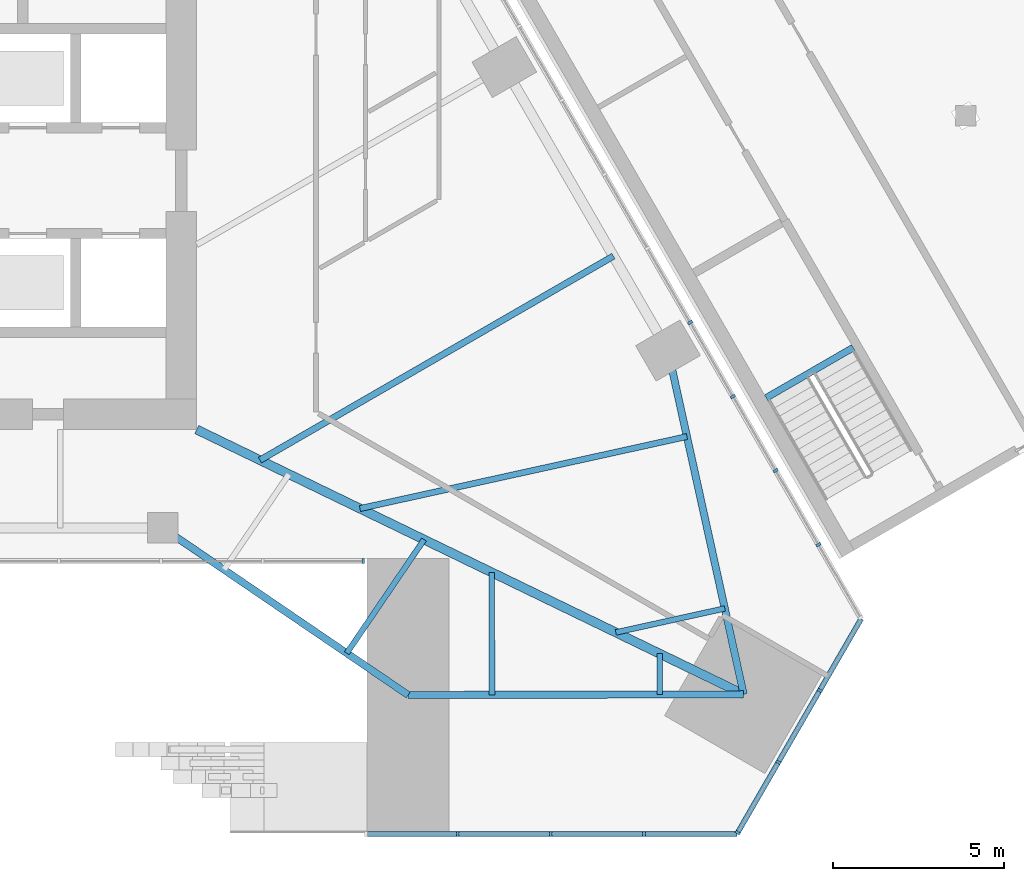
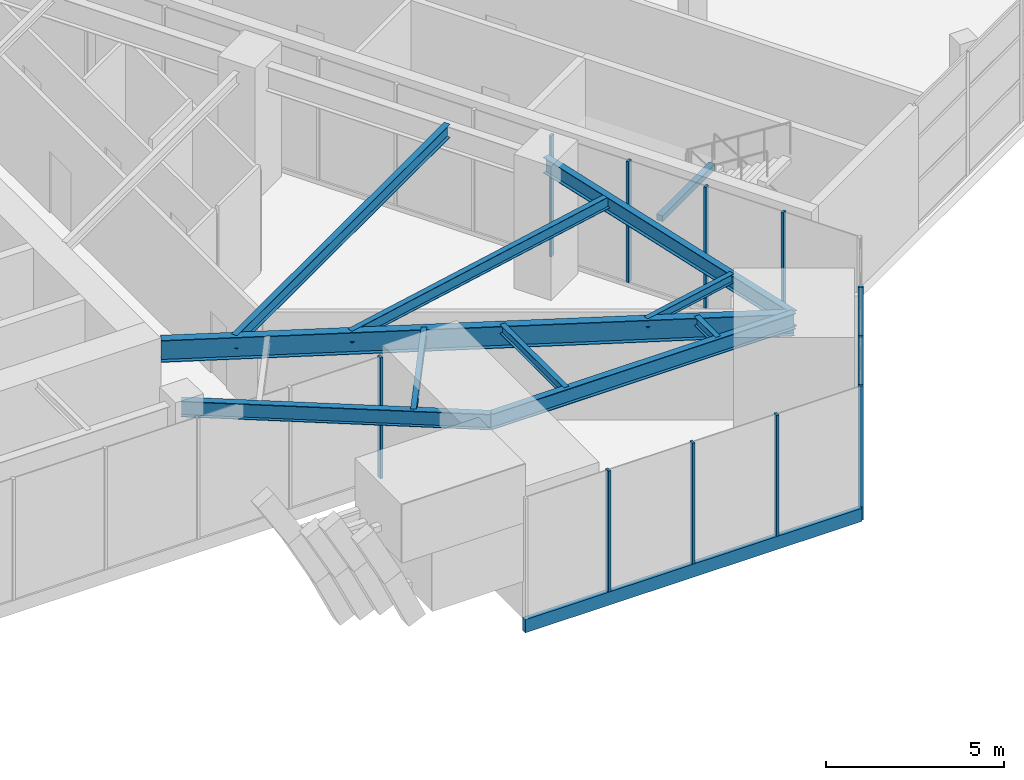
# One storey, part 7 of 30: 13 members, 11 beams, 4 elements without a shape of their own.
"""IFC4 building model written with IfcOpenShell, lengths in metres."""

from ifc_helpers import new_model, si_unit, direction, frame, origin, origin_2d, place, context, subcontext, project, spatial, rectangle, i_section, extrude, material, layer, layer_set, material_profile, profile_set, type_object, element, aggregate, save


model = new_model("IFC4")

# Units and contexts
model_context = context("Model", 3, precision=1e-05, world=origin(), true_north=direction((0.0, 1.0)))
body_context = subcontext(model_context, "Body", "Model", "MODEL_VIEW")
ifc_project = project(units=[si_unit("LENGTHUNIT", "METRE"), si_unit("AREAUNIT", "SQUARE_METRE"), si_unit("VOLUMEUNIT", "CUBIC_METRE"), si_unit("PLANEANGLEUNIT", "RADIAN"), si_unit("MASSUNIT", "GRAM", prefix="KILO")], contexts=[model_context])

# Site, building, storey
site_placement = place(None, origin())
site = spatial("IfcSite", under=ifc_project, at=site_placement, CompositionType="ELEMENT")
building_placement = place(site_placement, origin())
building = spatial("IfcBuilding", under=site, at=building_placement, Name="Firuza Gate Tower and Library", CompositionType="ELEMENT")
storey_placement = place(building_placement, frame((0.0, 0.0, 12.60009765625)))
storey = spatial("IfcBuildingStorey", under=building, at=storey_placement, Name="L02", CompositionType="ELEMENT", Elevation=12.60009765625)

# Curtain wall, member
ifc_material_1 = material(Name="Aluminium 6063-T6", Category="aluminium")
ifc_layer_1 = layer(ifc_material_1, 0.14990234375)
ifc_layer_set_1 = layer_set([ifc_layer_1], Name="Stick curtain wall, gate lobby")
curtain_wall_type_1 = type_object("IfcCurtainWallType", Name="Stick curtain wall, gate lobby", PredefinedType="NOTDEFINED", material=ifc_layer_set_1)
placement = place(storey_placement, origin())
curtain_wall_1 = element("IfcCurtainWall", 1, at=placement, inside=storey, type_object=curtain_wall_type_1, Name="CW7 L02 gate lobby", PredefinedType="NOTDEFINED")
ifc_material_2 = material(Name="Aluminium 6063-T6", Category="aluminium")
ifc_material_profile_1 = material_profile(ifc_material_2, rectangle(XDim=0.14990234375, YDim=0.080078125, at=origin_2d()))
ifc_profile_set_1 = profile_set([ifc_material_profile_1], Name="Aluminium 6063-T6")
member_type_1 = type_object("IfcMemberType", Name="Curtain wall mullion 80x150", PredefinedType="MULLION", material=ifc_profile_set_1)
member_1_placement = place(storey_placement, frame((92.885009765625, 62.140380859375, 0.14990234375), z_axis=(0.0, 0.0, 1.0), x_axis=(0.0, 1.0, 0.0)))
member_1 = element("IfcMember", 2, at=member_1_placement, type_object=member_type_1, Name="Mullion", PredefinedType="MULLION", context=body_context, shape_type="SweptSolid", body=[
    extrude(rectangle(XDim=0.14990234375, YDim=0.080078125, at=origin_2d()), origin(), (0.0, 0.0, 1.0), 4.14990234375),
])
aggregate(curtain_wall_1, [member_1])

# Curtain wall, members
ifc_material_3 = material(Name="Aluminium 6063-T6", Category="aluminium")
ifc_layer_2 = layer(ifc_material_3, 0.14990234375)
ifc_layer_set_2 = layer_set([ifc_layer_2], Name="Stick curtain wall, podium")
curtain_wall_type_2 = type_object("IfcCurtainWallType", Name="Stick curtain wall, podium", PredefinedType="NOTDEFINED", material=ifc_layer_set_2)
curtain_wall_2 = element("IfcCurtainWall", 3, at=placement, inside=storey, type_object=curtain_wall_type_2, Name="CW5 L02 S", PredefinedType="NOTDEFINED")
member_2_placement = place(storey_placement, frame((95.654541015625, 54.140380859375, 0.14990234375), z_axis=(0.0, 0.0, 1.0), x_axis=(0.0, 1.0, 0.0)))
member_2 = element("IfcMember", 4, at=member_2_placement, type_object=member_type_1, Name="Mullion", PredefinedType="MULLION", context=body_context, shape_type="SweptSolid", body=[
    extrude(rectangle(XDim=0.14990234375, YDim=0.080078125, at=origin_2d()), origin(), (0.0, 0.0, 1.0), 4.14990234375),
])
member_3_placement = place(storey_placement, frame((98.384033203125, 54.140380859375, 0.14990234375), z_axis=(0.0, 0.0, 1.0), x_axis=(0.0, 1.0, 0.0)))
member_3 = element("IfcMember", 5, at=member_3_placement, type_object=member_type_1, Name="Mullion", PredefinedType="MULLION", context=body_context, shape_type="SweptSolid", body=[
    extrude(rectangle(XDim=0.14990234375, YDim=0.080078125, at=origin_2d()), origin(), (0.0, 0.0, 1.0), 4.14990234375),
])
member_4_placement = place(storey_placement, frame((101.11376953125, 54.140380859375, 0.14990234375), z_axis=(0.0, 0.0, 1.0), x_axis=(0.0, 1.0, 0.0)))
member_4 = element("IfcMember", 6, at=member_4_placement, type_object=member_type_1, Name="Mullion", PredefinedType="MULLION", context=body_context, shape_type="SweptSolid", body=[
    extrude(rectangle(XDim=0.14990234375, YDim=0.080078125, at=origin_2d()), origin(), (0.0, 0.0, 1.0), 4.14990234375),
])

curtain_wall_3 = element("IfcCurtainWall", 7, at=placement, inside=storey, type_object=curtain_wall_type_2, Name="CW5 L02 SE", PredefinedType="NOTDEFINED")
member_5_placement = place(storey_placement, frame((103.86328125, 54.175048828125, 0.14990234375), z_axis=(0.0, 0.0, 1.0), x_axis=(-0.866025403784, 0.5, 0.0)))
member_5 = element("IfcMember", 8, at=member_5_placement, type_object=member_type_1, Name="Mullion", PredefinedType="MULLION", context=body_context, shape_type="SweptSolid", body=[
    extrude(rectangle(XDim=0.14990234375, YDim=0.080078125, at=origin_2d()), origin(), (0.0, 0.0, 1.0), 4.14990234375),
])
member_6_placement = place(storey_placement, frame((105.0576171875, 56.243896484375, 0.14990234375), z_axis=(0.0, 0.0, 1.0), x_axis=(-0.866025403784, 0.5, 0.0)))
member_6 = element("IfcMember", 9, at=member_6_placement, type_object=member_type_1, Name="Mullion", PredefinedType="MULLION", context=body_context, shape_type="SweptSolid", body=[
    extrude(rectangle(XDim=0.14990234375, YDim=0.080078125, at=origin_2d()), origin(), (0.0, 0.0, 1.0), 4.14990234375),
])
member_7_placement = place(storey_placement, frame((106.272216796875, 58.347412109375, 0.14990234375), z_axis=(0.0, 0.0, 1.0), x_axis=(-0.866025403784, 0.5, 0.0)))
member_7 = element("IfcMember", 10, at=member_7_placement, type_object=member_type_1, Name="Mullion", PredefinedType="MULLION", context=body_context, shape_type="SweptSolid", body=[
    extrude(rectangle(XDim=0.14990234375, YDim=0.080078125, at=origin_2d()), origin(), (0.0, 0.0, 1.0), 4.14990234375),
])

curtain_wall_4 = element("IfcCurtainWall", 11, at=placement, inside=storey, type_object=curtain_wall_type_2, Name="CW5 L02 E", PredefinedType="NOTDEFINED")
member_8_placement = place(storey_placement, frame((106.232666015625, 62.622802734375, 0.14990234375), z_axis=(0.0, 0.0, 1.0), x_axis=(-0.866025403784, -0.5, 0.0)))
member_8 = element("IfcMember", 12, at=member_8_placement, type_object=member_type_1, Name="Mullion", PredefinedType="MULLION", context=body_context, shape_type="SweptSolid", body=[
    extrude(rectangle(XDim=0.14990234375, YDim=0.080078125, at=origin_2d()), origin(), (0.0, 0.0, 1.0), 4.14990234375),
])
member_9_placement = place(storey_placement, frame((104.978515625, 64.794921875, 0.14990234375), z_axis=(0.0, 0.0, 1.0), x_axis=(-0.866025403784, -0.5, 0.0)))
member_9 = element("IfcMember", 13, at=member_9_placement, type_object=member_type_1, Name="Mullion", PredefinedType="MULLION", context=body_context, shape_type="SweptSolid", body=[
    extrude(rectangle(XDim=0.14990234375, YDim=0.080078125, at=origin_2d()), origin(), (0.0, 0.0, 1.0), 4.14990234375),
])
member_10_placement = place(storey_placement, frame((103.724365234375, 66.967041015625, 0.14990234375), z_axis=(0.0, 0.0, 1.0), x_axis=(-0.866025403784, -0.5, 0.0)))
member_10 = element("IfcMember", 14, at=member_10_placement, type_object=member_type_1, Name="Mullion", PredefinedType="MULLION", context=body_context, shape_type="SweptSolid", body=[
    extrude(rectangle(XDim=0.14990234375, YDim=0.080078125, at=origin_2d()), origin(), (0.0, 0.0, 1.0), 4.14990234375),
])
member_11_placement = place(storey_placement, frame((102.470458984375, 69.13916015625, 0.14990234375), z_axis=(0.0, 0.0, 1.0), x_axis=(-0.866025403784, -0.5, 0.0)))
member_11 = element("IfcMember", 15, at=member_11_placement, type_object=member_type_1, Name="Mullion", PredefinedType="MULLION", context=body_context, shape_type="SweptSolid", body=[
    extrude(rectangle(XDim=0.14990234375, YDim=0.080078125, at=origin_2d()), origin(), (0.0, 0.0, 1.0), 4.14990234375),
])
aggregate(curtain_wall_4, [member_8, member_9, member_10, member_11])

# Member
ifc_material_4 = material(Name="Aluminium 6063-T6", Category="aluminium")
ifc_material_profile_2 = material_profile(ifc_material_4, rectangle(XDim=0.14990234375, YDim=0.449951171875, at=origin_2d()))
ifc_profile_set_2 = profile_set([ifc_material_profile_2], Name="Aluminium 6063-T6")
member_type_2 = type_object("IfcMemberType", Name="Curtain wall transom 450x150", PredefinedType="USERDEFINED", material=ifc_profile_set_2)
member_12_placement = place(storey_placement, frame((92.925048828125, 54.140380859375, -0.0751953125), z_axis=(1.0, 0.0, 0.0), x_axis=(0.0, 1.0, 0.0)))
member_12 = element("IfcMember", 16, at=member_12_placement, type_object=member_type_2, Name="Transom", ObjectType="TRANSOM", PredefinedType="USERDEFINED", context=body_context, shape_type="SweptSolid", body=[
    extrude(rectangle(XDim=0.14990234375, YDim=0.449951171875, at=origin_2d()), origin(), (0.0, 0.0, 1.0), 10.918212890625),
])

aggregate(curtain_wall_2, [member_2, member_3, member_4, member_12])

member_13_placement = place(storey_placement, frame((103.84326171875, 54.140380859375, -0.0751953125), z_axis=(0.500005719219, 0.866022101766, 0.0), x_axis=(-0.866022101766, 0.500005719219, 0.0)))
member_13 = element("IfcMember", 17, at=member_13_placement, type_object=member_type_2, Name="Transom", ObjectType="TRANSOM", PredefinedType="USERDEFINED", context=body_context, shape_type="SweptSolid", body=[
    extrude(rectangle(XDim=0.14990234375, YDim=0.449951171875, at=origin_2d()), origin(), (0.0, 0.0, 1.0), 7.28662109375),
])

aggregate(curtain_wall_3, [member_5, member_6, member_7, member_13])

# Beams
ifc_material_5 = material(Name="Concrete C40/50", Category="concrete")
ifc_material_profile_3 = material_profile(ifc_material_5, rectangle(XDim=0.199951171875, YDim=0.199951171875, at=origin_2d()))
ifc_profile_set_3 = profile_set([ifc_material_profile_3], Name="Concrete C40/50")
beam_type_1 = type_object("IfcBeamType", Name="LIB LANDING BEARER 200X200", PredefinedType="BEAM", material=ifc_profile_set_3)
beam_1_placement = place(storey_placement, frame((107.254150390625, 68.4033203125, 2.0), z_axis=(-0.866003658127, -0.500037662692, 0.0), x_axis=(0.500037662692, -0.866003658127, 0.0)))
element("IfcBeam", 18, at=beam_1_placement, inside=storey, type_object=beam_type_1, Name="LIB-ST-B landing bearer L02", PredefinedType="BEAM", context=body_context, shape_type="SweptSolid", body=[
    extrude(rectangle(XDim=0.199951171875, YDim=0.199951171875, at=origin_2d()), origin(), (0.0, 0.0, 1.0), 2.949951171875),
])
ifc_material_6 = material(Name="Steel S355", Category="steel")
ifc_material_profile_4 = material_profile(ifc_material_6, i_section(OverallWidth=0.1650390625, OverallDepth=0.31005859375, WebThickness=0.005859375, FlangeThickness=0.009765625, at=origin_2d()))
ifc_profile_set_4 = profile_set([ifc_material_profile_4], Name="Steel S355")
beam_type_2 = type_object("IfcBeamType", Name="W310x39 Floor beam", PredefinedType="JOIST", material=ifc_profile_set_4)
beam_2_placement = place(storey_placement, frame((92.39990234375, 59.4404296875, 4.14501953125), z_axis=(0.562657973934, 0.826689787265, 0.0), x_axis=(-0.826689787265, 0.562657973934, 0.0)))
element("IfcBeam", 19, at=beam_2_placement, inside=storey, type_object=beam_type_2, Name="Floor beam L02 s41", PredefinedType="JOIST", context=body_context, shape_type="SweptSolid", body=[
    extrude(i_section(OverallWidth=0.1650390625, OverallDepth=0.31005859375, WebThickness=0.005859375, FlangeThickness=0.009765625, at=origin_2d()), origin(), (0.0, 0.0, 1.0), 4.02978515625),
])
beam_3_placement = place(storey_placement, frame((96.660400390625, 58.2197265625, 4.14501953125), z_axis=(-0.001836107072, 0.999998314354, 0.0), x_axis=(-0.999998314354, -0.001836107072, 0.0)))
element("IfcBeam", 20, at=beam_3_placement, inside=storey, type_object=beam_type_2, Name="Floor beam L02 s50", PredefinedType="JOIST", context=body_context, shape_type="SweptSolid", body=[
    extrude(i_section(OverallWidth=0.1650390625, OverallDepth=0.31005859375, WebThickness=0.005859375, FlangeThickness=0.009765625, at=origin_2d()), origin(), (0.0, 0.0, 1.0), 3.590087890625),
])
beam_4_placement = place(storey_placement, frame((101.580810546875, 58.228759765625, 4.14501953125), z_axis=(-0.00183635683, 0.999998313895, 0.0), x_axis=(-0.999998313895, -0.00183635683, 0.0)))
element("IfcBeam", 21, at=beam_4_placement, inside=storey, type_object=beam_type_2, Name="Floor beam L02 s51", PredefinedType="JOIST", context=body_context, shape_type="SweptSolid", body=[
    extrude(i_section(OverallWidth=0.1650390625, OverallDepth=0.31005859375, WebThickness=0.005859375, FlangeThickness=0.009765625, at=origin_2d()), origin(), (0.0, 0.0, 1.0), 1.196533203125),
])
beam_5_placement = place(storey_placement, frame((103.486083984375, 60.75341796875, 4.14501953125), z_axis=(-0.976601243751, -0.215058156564, 0.0), x_axis=(0.215058156564, -0.976601243751, 0.0)))
element("IfcBeam", 22, at=beam_5_placement, inside=storey, type_object=beam_type_2, Name="Floor beam L02 s60", PredefinedType="JOIST", context=body_context, shape_type="SweptSolid", body=[
    extrude(i_section(OverallWidth=0.1650390625, OverallDepth=0.31005859375, WebThickness=0.005859375, FlangeThickness=0.009765625, at=origin_2d()), origin(), (0.0, 0.0, 1.0), 3.27294921875),
])
ifc_material_7 = material(Name="Steel S355", Category="steel")
ifc_material_profile_5 = material_profile(ifc_material_7, i_section(OverallWidth=0.177978515625, OverallDepth=0.406982421875, WebThickness=0.0078125, FlangeThickness=0.0126953125, at=origin_2d()))
ifc_profile_set_5 = profile_set([ifc_material_profile_5], Name="Steel S355")
beam_type_3 = type_object("IfcBeamType", Name="W410x60 Floor beam", PredefinedType="JOIST", material=ifc_profile_set_5)
beam_6_placement = place(storey_placement, frame((102.375732421875, 65.794189453125, 4.096435546875), z_axis=(-0.97658964753, -0.215110809441, 0.0), x_axis=(0.215110809441, -0.97658964753, 0.0)))
element("IfcBeam", 23, at=beam_6_placement, inside=storey, type_object=beam_type_3, Name="Floor beam L02 s61", PredefinedType="JOIST", context=body_context, shape_type="SweptSolid", body=[
    extrude(i_section(OverallWidth=0.177978515625, OverallDepth=0.406982421875, WebThickness=0.0078125, FlangeThickness=0.0126953125, at=origin_2d()), origin(), (0.0, 0.0, 1.0), 9.818359375),
])
ifc_material_8 = material(Name="Steel S355", Category="steel")
ifc_material_profile_6 = material_profile(ifc_material_8, i_section(OverallWidth=0.18994140625, OverallDepth=0.45703125, WebThickness=0.009033203125, FlangeThickness=0.014404296875, at=origin_2d()))
ifc_profile_set_6 = profile_set([ifc_material_profile_6], Name="Steel S355")
beam_type_4 = type_object("IfcBeamType", Name="W460x74 Floor beam", PredefinedType="JOIST", material=ifc_profile_set_6)
beam_7_placement = place(storey_placement, frame((100.220458984375, 71.0859375, 4.0712890625), z_axis=(-0.866020154196, -0.500009092443, 0.0), x_axis=(0.500009092443, -0.866020154196, 0.0)))
element("IfcBeam", 24, at=beam_7_placement, inside=storey, type_object=beam_type_4, Name="Floor beam L02 s70", PredefinedType="JOIST", context=body_context, shape_type="SweptSolid", body=[
    extrude(i_section(OverallWidth=0.18994140625, OverallDepth=0.45703125, WebThickness=0.009033203125, FlangeThickness=0.014404296875, at=origin_2d()), origin(), (0.0, 0.0, 1.0), 11.968505859375),
])
ifc_material_9 = material(Name="Steel S355", Category="steel")
ifc_material_profile_7 = material_profile(ifc_material_9, i_section(OverallWidth=0.212890625, OverallDepth=0.5390625, WebThickness=0.01171875, FlangeThickness=0.018798828125, at=origin_2d()))
ifc_profile_set_7 = profile_set([ifc_material_profile_7], Name="Steel S355")
beam_type_5 = type_object("IfcBeamType", Name="W530x109 Edge beam", PredefinedType="SPANDREL", material=ifc_profile_set_7)
beam_8_placement = place(storey_placement, frame((87.0, 63.115478515625, 4.030517578125), z_axis=(0.826703281934, -0.562638146272, 0.0), x_axis=(0.562638146272, 0.826703281934, 0.0)))
element("IfcBeam", 25, at=beam_8_placement, inside=storey, type_object=beam_type_5, Name="Edge beam L02 e40", PredefinedType="SPANDREL", context=body_context, shape_type="SweptSolid", body=[
    extrude(i_section(OverallWidth=0.212890625, OverallDepth=0.5390625, WebThickness=0.01171875, FlangeThickness=0.018798828125, at=origin_2d()), origin(), (0.0, 0.0, 1.0), 8.709228515625),
])
beam_9_placement = place(storey_placement, frame((94.199951171875, 58.21533203125, 4.030517578125), z_axis=(0.999998360207, 0.001810962051, 0.0), x_axis=(-0.001810962051, 0.999998360207, 0.0)))
element("IfcBeam", 26, at=beam_9_placement, inside=storey, type_object=beam_type_5, Name="Edge beam L02 e50", PredefinedType="SPANDREL", context=body_context, shape_type="SweptSolid", body=[
    extrude(i_section(OverallWidth=0.212890625, OverallDepth=0.5390625, WebThickness=0.01171875, FlangeThickness=0.018798828125, at=origin_2d()), origin(), (0.0, 0.0, 1.0), 9.84130859375),
])
beam_10_placement = place(storey_placement, frame((104.041259765625, 58.233154296875, 4.030517578125), z_axis=(-0.215117130091, 0.976588255275, 0.0), x_axis=(-0.976588255275, -0.215117130091, 0.0)))
element("IfcBeam", 27, at=beam_10_placement, inside=storey, type_object=beam_type_5, Name="Edge beam L02 e60", PredefinedType="SPANDREL", context=body_context, shape_type="SweptSolid", body=[
    extrude(i_section(OverallWidth=0.212890625, OverallDepth=0.5390625, WebThickness=0.01171875, FlangeThickness=0.018798828125, at=origin_2d()), origin(), (0.0, 0.0, 1.0), 10.3232421875),
])
ifc_material_10 = material(Name="Steel S355", Category="steel")
ifc_material_profile_8 = material_profile(ifc_material_10, i_section(OverallWidth=0.264892578125, OverallDepth=0.7529296875, WebThickness=0.01318359375, FlangeThickness=0.01708984375, at=origin_2d()))
ifc_profile_set_8 = profile_set([ifc_material_profile_8], Name="Steel S355")
beam_type_6 = type_object("IfcBeamType", Name="W760x147 Girder", PredefinedType="BEAM", material=ifc_profile_set_8)
beam_11_placement = place(storey_placement, frame((104.041259765625, 58.233154296875, 3.92333984375), z_axis=(-0.900050421894, 0.43578577082, 0.0), x_axis=(-0.43578577082, -0.900050421894, 0.0)))
element("IfcBeam", 28, at=beam_11_placement, inside=storey, type_object=beam_type_6, Name="Girder L02 gSE", PredefinedType="BEAM", context=body_context, shape_type="SweptSolid", body=[
    extrude(i_section(OverallWidth=0.264892578125, OverallDepth=0.7529296875, WebThickness=0.01318359375, FlangeThickness=0.01708984375, at=origin_2d()), origin(), (0.0, 0.0, 1.0), 17.822509765625),
])

save(model, "model.ifc")
